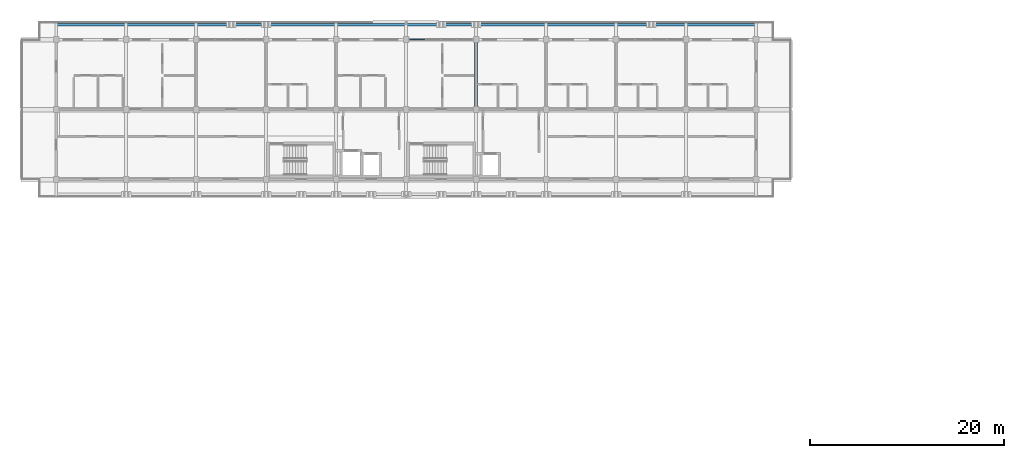
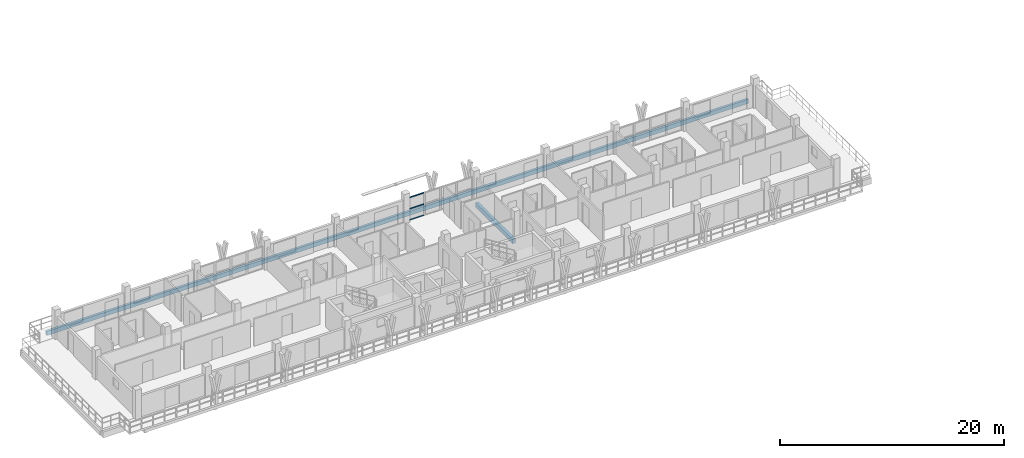
# One storey, part 10 of 56: 3 members, 2 beams, 1 element without a shape of its own.
"""IFC4 building model written with IfcOpenShell, lengths in metres."""

from ifc_helpers import new_model, si_unit, direction, frame, origin, origin_2d, place, context, subcontext, project, spatial, rectangle, hollow_rectangle, extrude, material, material_profile, profile_set, type_object, element, aggregate, save


model = new_model("IFC4")

# Units and contexts
model_context = context("Model", 3, precision=1e-05, world=origin(), true_north=direction((0.0, 1.0)))
body_context = subcontext(model_context, "Body", "Model", "MODEL_VIEW")
ifc_project = project(units=[si_unit("LENGTHUNIT", "METRE"), si_unit("AREAUNIT", "SQUARE_METRE"), si_unit("VOLUMEUNIT", "CUBIC_METRE"), si_unit("PLANEANGLEUNIT", "RADIAN"), si_unit("MASSUNIT", "GRAM", prefix="KILO")], contexts=[model_context])

# Site, building, storey
site_placement = place(None, origin())
site = spatial("IfcSite", under=ifc_project, at=site_placement, CompositionType="ELEMENT")
building_placement = place(site_placement, origin())
building = spatial("IfcBuilding", under=site, at=building_placement, Name="Suanplinth Sawtooth Commons", CompositionType="ELEMENT")
storey_placement = place(building_placement, frame((0.0, 0.0, 34.800048828125)))
storey = spatial("IfcBuildingStorey", under=building, at=storey_placement, Name="L10", CompositionType="ELEMENT", Elevation=34.800048828125)

# Beams
ifc_material_1 = material(Name="Precast concrete C40/50", Category="concrete")
ifc_material_profile_1 = material_profile(ifc_material_1, rectangle(XDim=0.300048828125, YDim=0.5, at=origin_2d()), Name="PC-BM 300x500")
ifc_profile_set_1 = profile_set([ifc_material_profile_1], Name="Precast concrete C40/50")
beam_type_1 = type_object("IfcBeamType", Name="B-07", PredefinedType="BEAM", material=ifc_profile_set_1)
beam_1_placement = place(storey_placement, frame((64.800048828125, 115.5, -0.469970703125), z_axis=(0.0, 1.0, 0.0), x_axis=(-1.0, 0.0, 0.0)))
element("IfcBeam", 1, at=beam_1_placement, inside=storey, type_object=beam_type_1, Name="BMY-L10-A-9-16", PredefinedType="BEAM", context=body_context, shape_type="SweptSolid", body=[
    extrude(rectangle(XDim=0.300048828125, YDim=0.5, at=origin_2d()), origin(), (0.0, 0.0, 1.0), 6.60009765625),
])
ifc_material_profile_2 = material_profile(ifc_material_1, rectangle(XDim=0.25, YDim=0.449951171875, at=origin_2d()), Name="PC-SP 250x450")
ifc_profile_set_2 = profile_set([ifc_material_profile_2], Name="Precast concrete C40/50")
beam_type_2 = type_object("IfcBeamType", Name="B-09", PredefinedType="SPANDREL", material=ifc_profile_set_2)
beam_2_placement = place(storey_placement, frame((21.449951171875, 123.919921875, -0.405029296875), z_axis=(1.0, 0.0, 0.0), x_axis=(0.0, 1.0, 0.0)))
element("IfcBeam", 2, at=beam_2_placement, inside=storey, type_object=beam_type_2, Name="Balcony Edge Fascia L10-A-N", PredefinedType="SPANDREL", context=body_context, shape_type="SweptSolid", body=[
    extrude(rectangle(XDim=0.25, YDim=0.449951171875, at=origin_2d()), origin(), (0.0, 0.0, 1.0), 72.300048828125),
])

# Curtain wall, members
ifc_material_2 = material(Name="Anodized aluminium and low-E glazing", Category="aluminium")
curtain_wall_type = type_object("IfcCurtainWallType", Name="CW-06", PredefinedType="USERDEFINED", material=ifc_material_2)
curtain_wall_placement = place(storey_placement, origin())
curtain_wall = element("IfcCurtainWall", 3, at=curtain_wall_placement, inside=storey, type_object=curtain_wall_type, Name="Curtain Wall CW-L10-A-LOUNGE-5", ObjectType="CURTAIN WALL", PredefinedType="USERDEFINED")
ifc_material_3 = material(Name="Anodized aluminium 6063-T6", Category="aluminium")
ifc_material_profile_3 = material_profile(ifc_material_3, hollow_rectangle(XDim=0.06494140625, YDim=0.1201171875, WallThickness=0.00390625, at=origin_2d()), Name="ALU-TRN 65x120")
ifc_profile_set_3 = profile_set([ifc_material_profile_3], Name="Anodized aluminium 6063-T6")
member_type = type_object("IfcMemberType", Name="M-15", PredefinedType="USERDEFINED", material=ifc_profile_set_3)
member_1_placement = place(storey_placement, frame((57.965087890625, 122.39990234375, 0.032470703125), z_axis=(1.0, 0.0, 0.0), x_axis=(0.0, 1.0, 0.0)))
member_1 = element("IfcMember", 4, at=member_1_placement, type_object=member_type, Name="CW-06 transom 1.1", ObjectType="TRANSOM", PredefinedType="USERDEFINED", context=body_context, shape_type="SweptSolid", body=[
    extrude(hollow_rectangle(XDim=0.06494140625, YDim=0.1201171875, WallThickness=0.00390625, at=origin_2d()), origin(), (0.0, 0.0, 1.0), 1.552490234375),
])
member_2_placement = place(storey_placement, frame((57.965087890625, 122.39990234375, 1.2548828125), z_axis=(1.0, 0.0, 0.0), x_axis=(0.0, 1.0, 0.0)))
member_2 = element("IfcMember", 5, at=member_2_placement, type_object=member_type, Name="CW-06 transom 1.2", ObjectType="TRANSOM", PredefinedType="USERDEFINED", context=body_context, shape_type="SweptSolid", body=[
    extrude(hollow_rectangle(XDim=0.06494140625, YDim=0.1201171875, WallThickness=0.00390625, at=origin_2d()), origin(), (0.0, 0.0, 1.0), 1.552490234375),
])
member_3_placement = place(storey_placement, frame((57.965087890625, 122.39990234375, 2.4775390625), z_axis=(1.0, 0.0, 0.0), x_axis=(0.0, 1.0, 0.0)))
member_3 = element("IfcMember", 6, at=member_3_placement, type_object=member_type, Name="CW-06 transom 1.3", ObjectType="TRANSOM", PredefinedType="USERDEFINED", context=body_context, shape_type="SweptSolid", body=[
    extrude(hollow_rectangle(XDim=0.06494140625, YDim=0.1201171875, WallThickness=0.00390625, at=origin_2d()), origin(), (0.0, 0.0, 1.0), 1.552490234375),
])
aggregate(curtain_wall, [member_1, member_2, member_3])

save(model, "model.ifc")
